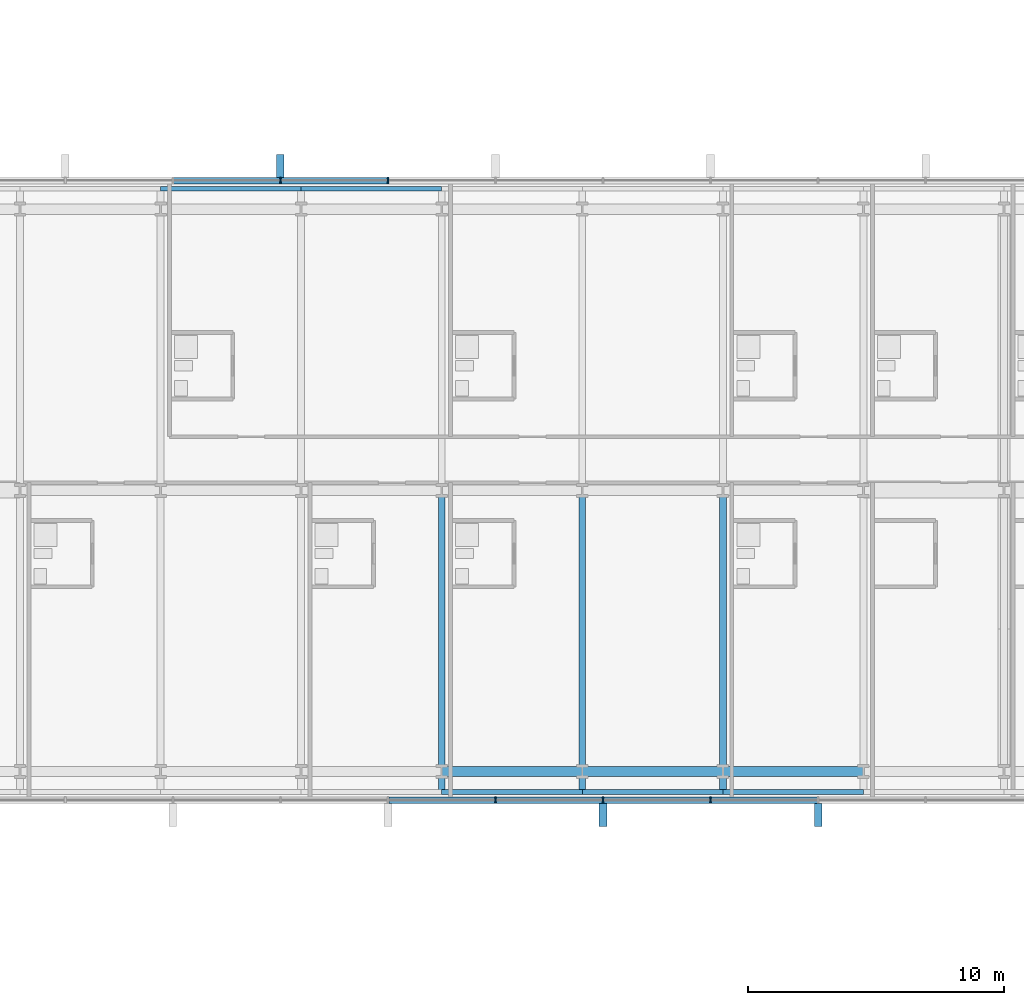
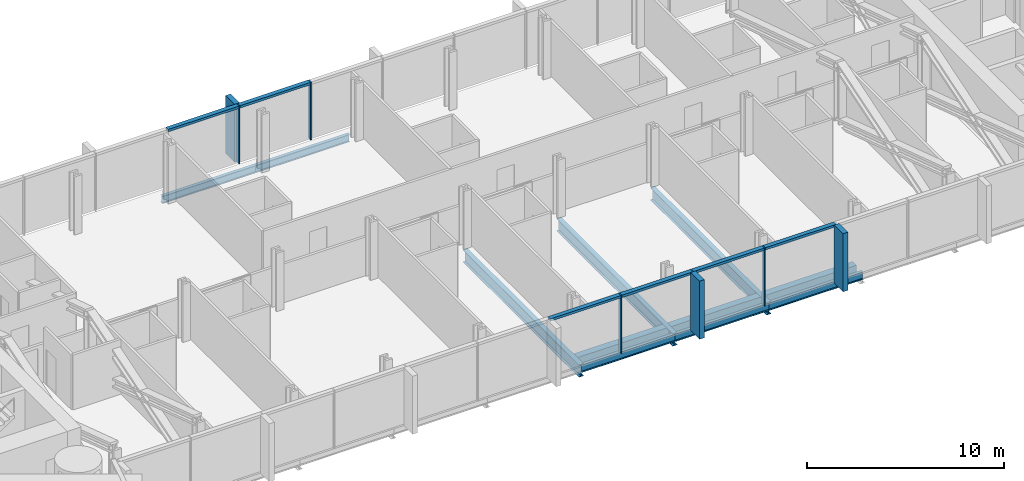
# One storey, part 7 of 24: 14 members, 11 beams, 2 elements without a shape of their own.
"""IFC4 building model written with IfcOpenShell, lengths in metres."""

from ifc_helpers import new_model, si_unit, direction, frame, origin, origin_2d, place, context, subcontext, project, spatial, rectangle, hollow_rectangle, i_section, extrude, material, material_profile, profile_set, type_object, element, aggregate, save


model = new_model("IFC4")

# Units and contexts
model_context = context("Model", 3, precision=1e-05, world=origin(), true_north=direction((0.0, 1.0)))
body_context = subcontext(model_context, "Body", "Model", "MODEL_VIEW")
ifc_project = project(units=[si_unit("LENGTHUNIT", "METRE"), si_unit("AREAUNIT", "SQUARE_METRE"), si_unit("VOLUMEUNIT", "CUBIC_METRE"), si_unit("PLANEANGLEUNIT", "RADIAN"), si_unit("MASSUNIT", "GRAM", prefix="KILO")], contexts=[model_context])

# Site, building, storey
site_placement = place(None, origin())
site = spatial("IfcSite", under=ifc_project, at=site_placement, CompositionType="ELEMENT")
building_placement = place(site_placement, origin())
building = spatial("IfcBuilding", under=site, at=building_placement, Name="Lancet Gate Hotel", CompositionType="ELEMENT")
storey_placement = place(building_placement, frame((0.0, 0.0, 236.89990234375)))
storey = spatial("IfcBuildingStorey", under=building, at=storey_placement, Name="L63", CompositionType="ELEMENT", Elevation=236.89990234375)

# Curtain wall, members
ifc_material_1 = material(Name="Aluminium curtain wall", Category="aluminium")
curtain_wall_type = type_object("IfcCurtainWallType", Name="Bridge block curtain wall", PredefinedType="USERDEFINED", material=ifc_material_1)
curtain_wall_1_placement = place(storey_placement, origin())
curtain_wall_1 = element("IfcCurtainWall", 1, at=curtain_wall_1_placement, inside=storey, type_object=curtain_wall_type, Name="Bridge block L63 curtain wall S", ObjectType="UNITISED CURTAIN WALL", PredefinedType="USERDEFINED")
ifc_material_2 = material(Name="Aluminium mullion", Category="aluminium")
ifc_material_profile_1 = material_profile(ifc_material_2, rectangle(XDim=0.06494140625, YDim=0.25, at=origin_2d()), Name="MULLION 65x250")
ifc_profile_set_1 = profile_set([ifc_material_profile_1], Name="Aluminium mullion")
member_type_1 = type_object("IfcMemberType", Name="Aluminium mullion 65x250", PredefinedType="MULLION", material=ifc_profile_set_1)
member_1_placement = place(storey_placement, frame((2.103759765625, -12.1201171875, 0.0), z_axis=(0.0, 0.0, 1.0), x_axis=(1.0, 0.0, 0.0)))
member_1 = element("IfcMember", 2, at=member_1_placement, type_object=member_type_1, Name="Bridge block L63 curtain wall S mullion 8", PredefinedType="MULLION", context=body_context, shape_type="SweptSolid", body=[
    extrude(rectangle(XDim=0.06494140625, YDim=0.25, at=origin_2d()), origin(), (0.0, 0.0, 1.0), 3.60009765625),
])
member_2_placement = place(storey_placement, frame((6.3115234375, -12.1201171875, 0.0), z_axis=(0.0, 0.0, 1.0), x_axis=(1.0, 0.0, 0.0)))
member_2 = element("IfcMember", 3, at=member_2_placement, type_object=member_type_1, Name="Bridge block L63 curtain wall S mullion 9", PredefinedType="MULLION", context=body_context, shape_type="SweptSolid", body=[
    extrude(rectangle(XDim=0.06494140625, YDim=0.25, at=origin_2d()), origin(), (0.0, 0.0, 1.0), 3.60009765625),
])
member_3_placement = place(storey_placement, frame((10.519287109375, -12.1201171875, 0.0), z_axis=(0.0, 0.0, 1.0), x_axis=(1.0, 0.0, 0.0)))
member_3 = element("IfcMember", 4, at=member_3_placement, type_object=member_type_1, Name="Bridge block L63 curtain wall S mullion 10", PredefinedType="MULLION", context=body_context, shape_type="SweptSolid", body=[
    extrude(rectangle(XDim=0.06494140625, YDim=0.25, at=origin_2d()), origin(), (0.0, 0.0, 1.0), 3.60009765625),
])

curtain_wall_2_placement = place(storey_placement, origin())
curtain_wall_2 = element("IfcCurtainWall", 5, at=curtain_wall_2_placement, inside=storey, type_object=curtain_wall_type, Name="Bridge block L63 curtain wall N", ObjectType="UNITISED CURTAIN WALL", PredefinedType="USERDEFINED")
member_4_placement = place(storey_placement, frame((-2.103759765625, 12.1201171875, 0.0), z_axis=(0.0, 0.0, 1.0), x_axis=(-1.0, 0.0, 0.0)))
member_4 = element("IfcMember", 6, at=member_4_placement, type_object=member_type_1, Name="Bridge block L63 curtain wall N mullion 8", PredefinedType="MULLION", context=body_context, shape_type="SweptSolid", body=[
    extrude(rectangle(XDim=0.06494140625, YDim=0.25, at=origin_2d()), origin(), (0.0, 0.0, 1.0), 3.60009765625),
])
member_5_placement = place(storey_placement, frame((-6.3115234375, 12.1201171875, 0.0), z_axis=(0.0, 0.0, 1.0), x_axis=(-1.0, 0.0, 0.0)))
member_5 = element("IfcMember", 7, at=member_5_placement, type_object=member_type_1, Name="Bridge block L63 curtain wall N mullion 9", PredefinedType="MULLION", context=body_context, shape_type="SweptSolid", body=[
    extrude(rectangle(XDim=0.06494140625, YDim=0.25, at=origin_2d()), origin(), (0.0, 0.0, 1.0), 3.60009765625),
])

# Member
ifc_material_3 = material(Name="Aluminium transom", Category="aluminium")
ifc_material_profile_2 = material_profile(ifc_material_3, rectangle(XDim=0.25, YDim=0.14990234375, at=origin_2d()), Name="TRANSOM 250x150")
ifc_profile_set_2 = profile_set([ifc_material_profile_2], Name="Aluminium transom")
member_type_2 = type_object("IfcMemberType", Name="Aluminium transom 250x150", PredefinedType="USERDEFINED", material=ifc_profile_set_2)
member_6_placement = place(storey_placement, frame((-2.0712890625, -12.1201171875, 3.525146484375), z_axis=(1.0, 0.0, 0.0), x_axis=(0.0, 1.0, 0.0)))
member_6 = element("IfcMember", 8, at=member_6_placement, type_object=member_type_2, Name="Bridge block L63 curtain wall S transom 7", ObjectType="TRANSOM", PredefinedType="USERDEFINED", context=body_context, shape_type="SweptSolid", body=[
    extrude(rectangle(XDim=0.25, YDim=0.14990234375, at=origin_2d()), origin(), (0.0, 0.0, 1.0), 4.142578125),
])

member_7_placement = place(storey_placement, frame((2.13623046875, -12.1201171875, 3.525146484375), z_axis=(1.0, 0.0, 0.0), x_axis=(0.0, 1.0, 0.0)))
member_7 = element("IfcMember", 9, at=member_7_placement, type_object=member_type_2, Name="Bridge block L63 curtain wall S transom 8", ObjectType="TRANSOM", PredefinedType="USERDEFINED", context=body_context, shape_type="SweptSolid", body=[
    extrude(rectangle(XDim=0.25, YDim=0.14990234375, at=origin_2d()), origin(), (0.0, 0.0, 1.0), 4.142822265625),
])

member_8_placement = place(storey_placement, frame((6.343994140625, -12.1201171875, 3.525146484375), z_axis=(1.0, 0.0, 0.0), x_axis=(0.0, 1.0, 0.0)))
member_8 = element("IfcMember", 10, at=member_8_placement, type_object=member_type_2, Name="Bridge block L63 curtain wall S transom 9", ObjectType="TRANSOM", PredefinedType="USERDEFINED", context=body_context, shape_type="SweptSolid", body=[
    extrude(rectangle(XDim=0.25, YDim=0.14990234375, at=origin_2d()), origin(), (0.0, 0.0, 1.0), 4.142822265625),
])

member_9_placement = place(storey_placement, frame((10.5517578125, -12.1201171875, 3.525146484375), z_axis=(1.0, 0.0, 0.0), x_axis=(0.0, 1.0, 0.0)))
member_9 = element("IfcMember", 11, at=member_9_placement, type_object=member_type_2, Name="Bridge block L63 curtain wall S transom 10", ObjectType="TRANSOM", PredefinedType="USERDEFINED", context=body_context, shape_type="SweptSolid", body=[
    extrude(rectangle(XDim=0.25, YDim=0.14990234375, at=origin_2d()), origin(), (0.0, 0.0, 1.0), 4.142578125),
])

member_10_placement = place(storey_placement, frame((-2.13623046875, 12.1201171875, 3.525146484375), z_axis=(-1.0, 0.0, 0.0), x_axis=(0.0, -1.0, 0.0)))
member_10 = element("IfcMember", 12, at=member_10_placement, type_object=member_type_2, Name="Bridge block L63 curtain wall N transom 8", ObjectType="TRANSOM", PredefinedType="USERDEFINED", context=body_context, shape_type="SweptSolid", body=[
    extrude(rectangle(XDim=0.25, YDim=0.14990234375, at=origin_2d()), origin(), (0.0, 0.0, 1.0), 4.142822265625),
])

member_11_placement = place(storey_placement, frame((-6.343994140625, 12.1201171875, 3.525146484375), z_axis=(-1.0, 0.0, 0.0), x_axis=(0.0, -1.0, 0.0)))
member_11 = element("IfcMember", 13, at=member_11_placement, type_object=member_type_2, Name="Bridge block L63 curtain wall N transom 9", ObjectType="TRANSOM", PredefinedType="USERDEFINED", context=body_context, shape_type="SweptSolid", body=[
    extrude(rectangle(XDim=0.25, YDim=0.14990234375, at=origin_2d()), origin(), (0.0, 0.0, 1.0), 4.142822265625),
])

# Beams
ifc_material_4 = material(Name="Steel S355", Category="steel")
ifc_material_profile_3 = material_profile(ifc_material_4, i_section(OverallWidth=0.19140625, OverallDepth=0.4599609375, WebThickness=0.010009765625, FlangeThickness=0.01611328125, FilletRadius=0.01025390625, at=origin_2d()), Name="UKB 457x191x82")
ifc_profile_set_3 = profile_set([ifc_material_profile_3], Name="Steel S355")
beam_type_1 = type_object("IfcBeamType", Name="Block edge beam UKB 457x191x82", PredefinedType="SPANDREL", material=ifc_profile_set_3)
for number, where, z_axis, x_axis, name in (
    (14, (-11.0, 11.800048828125, -0.429931640625), (1.0, 0.0, 0.0), (0.0, 1.0, 0.0), "Block edge beam N 3-4 L63"),
    (15, (-5.5, 11.800048828125, -0.429931640625), (1.0, 0.0, 0.0), (0.0, 1.0, 0.0), "Block edge beam N 4-5 L63"),
    (16, (0.0, -11.800048828125, -0.429931640625), (1.0, 0.0, 0.0), (0.0, 1.0, 0.0), "Block edge beam S 5-6 L63"),
    (17, (5.5, -11.800048828125, -0.429931640625), (1.0, 0.0, 0.0), (0.0, 1.0, 0.0), "Block edge beam S 6-7 L63"),
    (18, (11.0, -11.800048828125, -0.429931640625), (1.0, 0.0, 0.0), (0.0, 1.0, 0.0), "Block edge beam S 7-8 L63"),
):
    element("IfcBeam", number, at=place(storey_placement, frame(where, z_axis=z_axis, x_axis=x_axis)), inside=storey, type_object=beam_type_1, Name=name, PredefinedType="SPANDREL", context=body_context, shape_type="SweptSolid", body=[
        extrude(i_section(OverallWidth=0.19140625, OverallDepth=0.4599609375, WebThickness=0.010009765625, FlangeThickness=0.01611328125, FilletRadius=0.01025390625, at=origin_2d()), origin(), (0.0, 0.0, 1.0), 5.5),
    ])
ifc_material_5 = material(Name="Steel S355", Category="steel")
ifc_material_profile_4 = material_profile(ifc_material_5, hollow_rectangle(XDim=0.39990234375, YDim=0.89990234375, WallThickness=0.0400390625, at=origin_2d()), Name="BOX 900x400x40")
ifc_profile_set_4 = profile_set([ifc_material_profile_4], Name="Steel S355")
beam_type_2 = type_object("IfcBeamType", Name="Block primary beam BOX 900x400x40", PredefinedType="BEAM", material=ifc_profile_set_4)
for number, where, z_axis, x_axis, name in (
    (19, (0.0, -11.0, -0.64990234375), (1.0, 0.0, 0.0), (0.0, 1.0, 0.0), "Block primary beam S 6 L63"),
    (20, (5.5, -11.0, -0.64990234375), (1.0, 0.0, 0.0), (0.0, 1.0, 0.0), "Block primary beam S 7 L63"),
    (21, (11.0, -11.0, -0.64990234375), (1.0, 0.0, 0.0), (0.0, 1.0, 0.0), "Block primary beam S 8 L63"),
):
    element("IfcBeam", number, at=place(storey_placement, frame(where, z_axis=z_axis, x_axis=x_axis)), inside=storey, type_object=beam_type_2, Name=name, PredefinedType="BEAM", context=body_context, shape_type="SweptSolid", body=[
        extrude(hollow_rectangle(XDim=0.39990234375, YDim=0.89990234375, WallThickness=0.0400390625, at=origin_2d()), origin(), (0.0, 0.0, 1.0), 5.5),
    ])
ifc_material_6 = material(Name="Steel S355", Category="steel")
ifc_material_profile_5 = material_profile(ifc_material_6, i_section(OverallWidth=0.26806640625, OverallDepth=0.769775390625, WebThickness=0.015625, FlangeThickness=0.025390625, FilletRadius=0.0166015625, at=origin_2d()), Name="UKB 762x267x197")
ifc_profile_set_5 = profile_set([ifc_material_profile_5], Name="Steel S355")
beam_type_3 = type_object("IfcBeamType", Name="Block secondary beam UKB 762x267x197", PredefinedType="JOIST", material=ifc_profile_set_5)
for number, where, z_axis, x_axis, name in (
    (22, (0.0, -11.800048828125, -0.584716796875), (0.0, 1.0, 0.0), (-1.0, 0.0, 0.0), "Block beam x5 S L63"),
    (23, (5.5, -11.800048828125, -0.584716796875), (0.0, 1.0, 0.0), (-1.0, 0.0, 0.0), "Block beam x6 S L63"),
    (24, (11.0, -11.800048828125, -0.584716796875), (0.0, 1.0, 0.0), (-1.0, 0.0, 0.0), "Block beam x7 S L63"),
):
    element("IfcBeam", number, at=place(storey_placement, frame(where, z_axis=z_axis, x_axis=x_axis)), inside=storey, type_object=beam_type_3, Name=name, PredefinedType="JOIST", context=body_context, shape_type="SweptSolid", body=[
        extrude(i_section(OverallWidth=0.26806640625, OverallDepth=0.769775390625, WebThickness=0.015625, FlangeThickness=0.025390625, FilletRadius=0.0166015625, at=origin_2d()), origin(), (0.0, 0.0, 1.0), 11.800048828125),
    ])

# Member
ifc_material_7 = material(Name="Precast concrete C50/60", Category="concrete")
ifc_material_profile_6 = material_profile(ifc_material_7, rectangle(XDim=0.300048828125, YDim=0.89990234375, at=origin_2d()), Name="FIN 300x900")
ifc_profile_set_6 = profile_set([ifc_material_profile_6], Name="Precast concrete C50/60")
member_type_3 = type_object("IfcMemberType", Name="Exposed concrete fin 300x900", PredefinedType="USERDEFINED", material=ifc_profile_set_6)
member_12_placement = place(storey_placement, frame((6.3115234375, -12.695068359375, 0.0), z_axis=(0.0, 0.0, 1.0), x_axis=(1.0, 0.0, 0.0)))
member_12 = element("IfcMember", 25, at=member_12_placement, type_object=member_type_3, Name="Bridge block L63 curtain wall S fin 9", ObjectType="FIN", PredefinedType="USERDEFINED", context=body_context, shape_type="SweptSolid", body=[
    extrude(rectangle(XDim=0.300048828125, YDim=0.89990234375, at=origin_2d()), origin(), (0.0, 0.0, 1.0), 3.60009765625),
])

member_13_placement = place(storey_placement, frame((14.726806640625, -12.695068359375, 0.0), z_axis=(0.0, 0.0, 1.0), x_axis=(1.0, 0.0, 0.0)))
member_13 = element("IfcMember", 26, at=member_13_placement, type_object=member_type_3, Name="Bridge block L63 curtain wall S fin 11", ObjectType="FIN", PredefinedType="USERDEFINED", context=body_context, shape_type="SweptSolid", body=[
    extrude(rectangle(XDim=0.300048828125, YDim=0.89990234375, at=origin_2d()), origin(), (0.0, 0.0, 1.0), 3.60009765625),
])

aggregate(curtain_wall_1, [member_1, member_2, member_12, member_3, member_13, member_6, member_7, member_8, member_9])

member_14_placement = place(storey_placement, frame((-6.3115234375, 12.695068359375, 0.0), z_axis=(0.0, 0.0, 1.0), x_axis=(-1.0, 0.0, 0.0)))
member_14 = element("IfcMember", 27, at=member_14_placement, type_object=member_type_3, Name="Bridge block L63 curtain wall N fin 9", ObjectType="FIN", PredefinedType="USERDEFINED", context=body_context, shape_type="SweptSolid", body=[
    extrude(rectangle(XDim=0.300048828125, YDim=0.89990234375, at=origin_2d()), origin(), (0.0, 0.0, 1.0), 3.60009765625),
])

aggregate(curtain_wall_2, [member_4, member_5, member_14, member_10, member_11])

save(model, "model.ifc")
